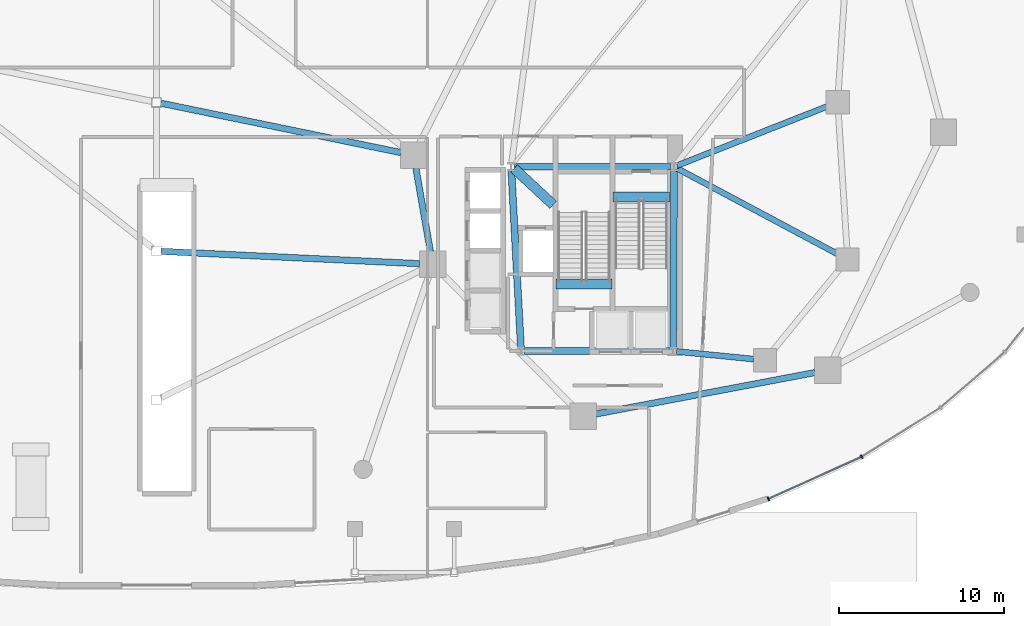
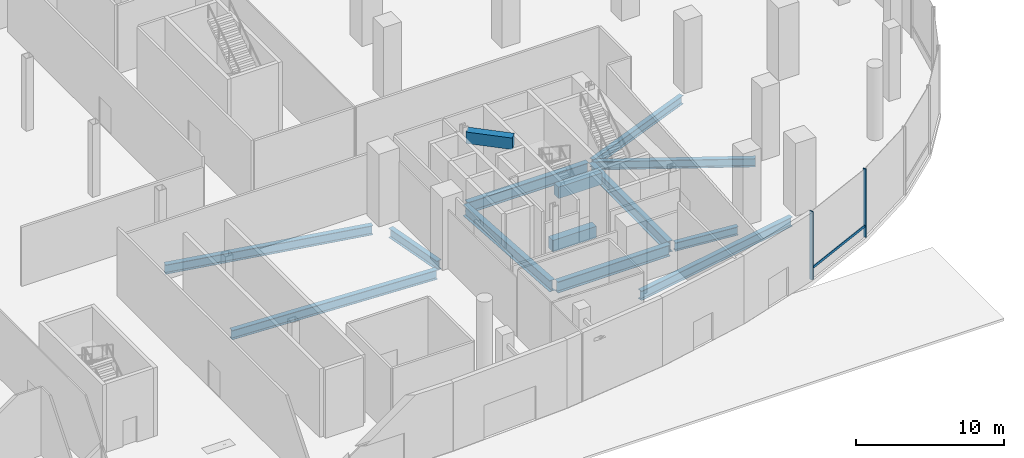
# One storey, part 7 of 20: 14 beams, 3 members, 1 element without a shape of its own.
"""IFC4 building model written with IfcOpenShell, lengths in metres."""

from ifc_helpers import new_model, si_unit, direction, frame, origin, origin_2d, place, context, subcontext, project, spatial, rectangle, i_section, extrude, material, material_profile, profile_set, type_object, element, aggregate, save


model = new_model("IFC4")

# Units and contexts
model_context = context("Model", 3, precision=1e-05, world=origin(), true_north=direction((0.0, 1.0)))
body_context = subcontext(model_context, "Body", "Model", "MODEL_VIEW")
ifc_project = project(units=[si_unit("LENGTHUNIT", "METRE"), si_unit("AREAUNIT", "SQUARE_METRE"), si_unit("VOLUMEUNIT", "CUBIC_METRE"), si_unit("PLANEANGLEUNIT", "RADIAN"), si_unit("MASSUNIT", "GRAM", prefix="KILO"), si_unit("THERMODYNAMICTEMPERATUREUNIT", "KELVIN"), si_unit("POWERUNIT", "WATT")], contexts=[model_context])

# Site, building, storey
site_placement = place(None, origin())
site = spatial("IfcSite", under=ifc_project, at=site_placement, CompositionType="ELEMENT")
building_placement = place(site_placement, origin())
building = spatial("IfcBuilding", under=site, at=building_placement, Name="Cundina Bronze Exchange", CompositionType="ELEMENT")
storey_placement = place(building_placement, origin())
storey = spatial("IfcBuildingStorey", under=building, at=storey_placement, Name="L00", CompositionType="ELEMENT", Elevation=0.0)

# Beams
ifc_material_1 = material(Name="Concrete C60/75", Category="concrete")
ifc_material_profile_1 = material_profile(ifc_material_1, rectangle(XDim=0.60009765625, YDim=0.949951171875, at=origin_2d()), Name="RC600X950", Category="concrete")
ifc_profile_set_1 = profile_set([ifc_material_profile_1], Name="Concrete C60/75")
beam_type_1 = type_object("IfcBeamType", Name="BM-COUP-RC950", PredefinedType="LINTEL", material=ifc_profile_set_1)
beam_1_placement = place(storey_placement, frame((27.6201171875, -5.719970703125, -0.47509765625), z_axis=(1.0, 0.0, 0.0), x_axis=(0.0, 1.0, 0.0)))
element("IfcBeam", 1, at=beam_1_placement, inside=storey, type_object=beam_type_1, Name="L00 Stair E1 Landing Header Beam", PredefinedType="LINTEL", context=body_context, shape_type="SweptSolid", body=[
    extrude(rectangle(XDim=0.60009765625, YDim=0.949951171875, at=origin_2d()), origin(), (0.0, 0.0, 1.0), 3.39990234375),
])
beam_2_placement = place(storey_placement, frame((24.159912109375, -10.97998046875, -0.47509765625), z_axis=(1.0, 0.0, 0.0), x_axis=(0.0, 1.0, 0.0)))
element("IfcBeam", 2, at=beam_2_placement, inside=storey, type_object=beam_type_1, Name="L00 Stair E2 Landing Header Beam", PredefinedType="LINTEL", context=body_context, shape_type="SweptSolid", body=[
    extrude(rectangle(XDim=0.60009765625, YDim=0.949951171875, at=origin_2d()), origin(), (0.0, 0.0, 1.0), 3.400146484375),
])
beam_3_placement = place(storey_placement, frame((21.6298828125, -4.0, 5.175048828125), z_axis=(0.731490439815, -0.681851696822, 0.0), x_axis=(0.681851696822, 0.731490439815, 0.0)))
element("IfcBeam", 3, at=beam_3_placement, inside=storey, type_object=beam_type_1, Name="L00 E Core Shear Coupling Lintel Beam", PredefinedType="LINTEL", context=body_context, shape_type="SweptSolid", body=[
    extrude(rectangle(XDim=0.60009765625, YDim=0.949951171875, at=origin_2d()), origin(), (0.0, 0.0, 1.0), 3.226318359375),
])
ifc_material_2 = material(Name="Steel ASTM A992 Grade 50", Category="steel")
ifc_material_profile_2 = material_profile(ifc_material_2, i_section(OverallWidth=0.35498046875, OverallDepth=0.695068359375, WebThickness=0.015380859375, FlangeThickness=0.02490234375, FilletRadius=0.01806640625, at=origin_2d()), Name="W27X146", Category="steel")
ifc_profile_set_2 = profile_set([ifc_material_profile_2], Name="Steel ASTM A992 Grade 50")
beam_type_2 = type_object("IfcBeamType", Name="BM-RING-W27", PredefinedType="USERDEFINED", material=ifc_profile_set_2)
beam_4_placement = place(storey_placement, frame((31.452880859375, -15.070068359375, -0.697509765625), z_axis=(0.995123484374, -0.098636964914, 0.0), x_axis=(0.098636964914, 0.995123484374, 0.0)))
element("IfcBeam", 4, at=beam_4_placement, inside=storey, type_object=beam_type_2, Name="L00 E Inner Structural Ring Girder 01", ObjectType="GIRDER", PredefinedType="USERDEFINED", context=body_context, shape_type="SweptSolid", body=[
    extrude(i_section(OverallWidth=0.35498046875, OverallDepth=0.695068359375, WebThickness=0.015380859375, FlangeThickness=0.02490234375, FilletRadius=0.01806640625, at=origin_2d()), origin(), (0.0, 0.0, 1.0), 4.685546875),
])
beam_5_placement = place(storey_placement, frame((31.48974609375, -3.8251953125, -0.697509765625), z_axis=(0.930410463214, 0.366519262715, 0.0), x_axis=(-0.366519262715, 0.930410463214, 0.0)))
element("IfcBeam", 5, at=beam_5_placement, inside=storey, type_object=beam_type_2, Name="L00 E Core-to-Waist Tie Beam 1", ObjectType="GIRDER", PredefinedType="USERDEFINED", context=body_context, shape_type="SweptSolid", body=[
    extrude(i_section(OverallWidth=0.35498046875, OverallDepth=0.695068359375, WebThickness=0.015380859375, FlangeThickness=0.02490234375, FilletRadius=0.01806640625, at=origin_2d()), origin(), (0.0, 0.0, 1.0), 9.74853515625),
])
beam_6_placement = place(storey_placement, frame((31.47998046875, -3.99609375, -0.697509765625), z_axis=(0.882354169055, -0.470585933014, 0.0), x_axis=(0.470585933014, 0.882354169055, 0.0)))
element("IfcBeam", 6, at=beam_6_placement, inside=storey, type_object=beam_type_2, Name="L00 E Core-to-Waist Tie Beam 2", ObjectType="GIRDER", PredefinedType="USERDEFINED", context=body_context, shape_type="SweptSolid", body=[
    extrude(i_section(OverallWidth=0.35498046875, OverallDepth=0.695068359375, WebThickness=0.015380859375, FlangeThickness=0.02490234375, FilletRadius=0.01806640625, at=origin_2d()), origin(), (0.0, 0.0, 1.0), 11.0078125),
])
ifc_material_profile_3 = material_profile(ifc_material_2, i_section(OverallWidth=0.381103515625, OverallDepth=0.77294921875, WebThickness=0.0166015625, FlangeThickness=0.027099609375, FilletRadius=0.01904296875, at=origin_2d()), Name="W30X173", Category="steel")
ifc_profile_set_3 = profile_set([ifc_material_profile_3], Name="Steel ASTM A992 Grade 50")
beam_type_3 = type_object("IfcBeamType", Name="BM-RING-W30", PredefinedType="USERDEFINED", material=ifc_profile_set_3)
beam_7_placement = place(storey_placement, frame((0.28759765625, -9.013916015625, -0.736572265625), z_axis=(0.998855248542, -0.047835054714, 0.0), x_axis=(0.047835054714, 0.998855248542, 0.0)))
element("IfcBeam", 7, at=beam_7_placement, inside=storey, type_object=beam_type_3, Name="L00 Concourse East Span Girder 02", ObjectType="GIRDER", PredefinedType="USERDEFINED", context=body_context, shape_type="SweptSolid", body=[
    extrude(i_section(OverallWidth=0.381103515625, OverallDepth=0.77294921875, WebThickness=0.0166015625, FlangeThickness=0.027099609375, FilletRadius=0.01904296875, at=origin_2d()), origin(), (0.0, 0.0, 1.0), 15.64306640625),
])
beam_8_placement = place(storey_placement, frame((0.281982421875, -0.05810546875, -0.736572265625), z_axis=(0.979475533682, -0.201563089177, 0.0), x_axis=(0.201563089177, 0.979475533682, 0.0)))
element("IfcBeam", 8, at=beam_8_placement, inside=storey, type_object=beam_type_3, Name="L00 Concourse East Span Girder 03", ObjectType="GIRDER", PredefinedType="USERDEFINED", context=body_context, shape_type="SweptSolid", body=[
    extrude(i_section(OverallWidth=0.381103515625, OverallDepth=0.77294921875, WebThickness=0.0166015625, FlangeThickness=0.027099609375, FilletRadius=0.01904296875, at=origin_2d()), origin(), (0.0, 0.0, 1.0), 14.800048828125),
])
beam_9_placement = place(storey_placement, frame((15.685302734375, -3.976318359375, -0.736572265625), z_axis=(0.171642817546, -0.985159247627, 0.0), x_axis=(0.985159247627, 0.171642817546, 0.0)))
element("IfcBeam", 9, at=beam_9_placement, inside=storey, type_object=beam_type_3, Name="L00 E Podium Ring Girder 00", ObjectType="GIRDER", PredefinedType="USERDEFINED", context=body_context, shape_type="SweptSolid", body=[
    extrude(i_section(OverallWidth=0.381103515625, OverallDepth=0.77294921875, WebThickness=0.0166015625, FlangeThickness=0.027099609375, FilletRadius=0.01904296875, at=origin_2d()), origin(), (0.0, 0.0, 1.0), 5.123291015625),
])
beam_10_placement = place(storey_placement, frame((26.57421875, -18.853515625, -0.736572265625), z_axis=(0.982569620145, 0.185894974562, 0.0), x_axis=(-0.185894974562, 0.982569620145, 0.0)))
element("IfcBeam", 10, at=beam_10_placement, inside=storey, type_object=beam_type_3, Name="L00 E Podium Ring Girder 04", ObjectType="GIRDER", PredefinedType="USERDEFINED", context=body_context, shape_type="SweptSolid", body=[
    extrude(i_section(OverallWidth=0.381103515625, OverallDepth=0.77294921875, WebThickness=0.0166015625, FlangeThickness=0.027099609375, FilletRadius=0.01904296875, at=origin_2d()), origin(), (0.0, 0.0, 1.0), 13.486572265625),
])
ifc_material_profile_4 = material_profile(ifc_material_2, i_section(OverallWidth=0.41796875, OverallDepth=0.927001953125, WebThickness=0.019287109375, FlangeThickness=0.031982421875, FilletRadius=0.02392578125, at=origin_2d()), Name="W36X231", Category="steel")
ifc_profile_set_4 = profile_set([ifc_material_profile_4], Name="Steel ASTM A992 Grade 50")
beam_type_4 = type_object("IfcBeamType", Name="BM-WRN-W36B", PredefinedType="USERDEFINED", material=ifc_profile_set_4)
beam_11_placement = place(storey_placement, frame((31.095947265625, -3.89990234375, -0.8134765625), z_axis=(-1.0, 0.0, 0.0), x_axis=(0.0, -1.0, 0.0)))
element("IfcBeam", 11, at=beam_11_placement, inside=storey, type_object=beam_type_4, Name="L00 E Core Perimeter Tie Girder 1", ObjectType="GIRDER", PredefinedType="USERDEFINED", context=body_context, shape_type="SweptSolid", body=[
    extrude(i_section(OverallWidth=0.41796875, OverallDepth=0.927001953125, WebThickness=0.019287109375, FlangeThickness=0.031982421875, FilletRadius=0.02392578125, at=origin_2d()), origin(), (0.0, 0.0, 1.0), 9.44189453125),
])
beam_12_placement = place(storey_placement, frame((21.4609375, -4.103759765625, -0.8134765625), z_axis=(0.053739193498, -0.998555005537, 0.0), x_axis=(0.998555005537, 0.053739193498, 0.0)))
element("IfcBeam", 12, at=beam_12_placement, inside=storey, type_object=beam_type_4, Name="L00 E Core Perimeter Tie Girder 2", ObjectType="GIRDER", PredefinedType="USERDEFINED", context=body_context, shape_type="SweptSolid", body=[
    extrude(i_section(OverallWidth=0.41796875, OverallDepth=0.927001953125, WebThickness=0.019287109375, FlangeThickness=0.031982421875, FilletRadius=0.02392578125, at=origin_2d()), origin(), (0.0, 0.0, 1.0), 10.758056640625),
])
beam_13_placement = place(storey_placement, frame((22.25390625, -15.050048828125, -0.8134765625), z_axis=(1.0, 0.0, 0.0), x_axis=(0.0, 1.0, 0.0)))
element("IfcBeam", 13, at=beam_13_placement, inside=storey, type_object=beam_type_4, Name="L00 E Core Perimeter Tie Girder 3", ObjectType="GIRDER", PredefinedType="USERDEFINED", context=body_context, shape_type="SweptSolid", body=[
    extrude(i_section(OverallWidth=0.41796875, OverallDepth=0.927001953125, WebThickness=0.019287109375, FlangeThickness=0.031982421875, FilletRadius=0.02392578125, at=origin_2d()), origin(), (0.0, 0.0, 1.0), 8.7919921875),
])
beam_14_placement = place(storey_placement, frame((31.2509765625, -14.845947265625, -0.8134765625), z_axis=(0.004477329608, 0.99998997671, 0.0), x_axis=(-0.99998997671, 0.004477329608, 0.0)))
element("IfcBeam", 14, at=beam_14_placement, inside=storey, type_object=beam_type_4, Name="L00 E Core Perimeter Tie Girder 4", ObjectType="GIRDER", PredefinedType="USERDEFINED", context=body_context, shape_type="SweptSolid", body=[
    extrude(i_section(OverallWidth=0.41796875, OverallDepth=0.927001953125, WebThickness=0.019287109375, FlangeThickness=0.031982421875, FilletRadius=0.02392578125, at=origin_2d()), origin(), (0.0, 0.0, 1.0), 10.741943359375),
])

# Curtain wall, members
ifc_material_3 = material(Name="Anodised Bronze Aluminium 6063-T6", Category="aluminium")
curtain_wall_type = type_object("IfcCurtainWallType", Name="CWS-POD-CONC", PredefinedType="NOTDEFINED", material=ifc_material_3)
curtain_wall_placement = place(storey_placement, origin())
curtain_wall = element("IfcCurtainWall", 15, at=curtain_wall_placement, inside=storey, type_object=curtain_wall_type, Name="L00 CW-01 Curtain Wall Run CWR-L00-06", PredefinedType="NOTDEFINED")
ifc_material_profile_5 = material_profile(ifc_material_3, rectangle(XDim=0.0849609375, YDim=0.25, at=origin_2d()), Name="AL85X250", Category="aluminium")
ifc_profile_set_5 = profile_set([ifc_material_profile_5], Name="Anodised Bronze Aluminium 6063-T6")
member_type_1 = type_object("IfcMemberType", Name="CWM-MUL-250", PredefinedType="MULLION", material=ifc_profile_set_5)
member_1_placement = place(storey_placement, frame((37.013671875, -23.990478515625, 0.0), z_axis=(0.0, 0.0, 1.0), x_axis=(0.911618620107, 0.411037092578, 0.0)))
member_1 = element("IfcMember", 16, at=member_1_placement, type_object=member_type_1, Name="CW-01 Mullion 1", PredefinedType="MULLION", context=body_context, shape_type="SweptSolid", body=[
    extrude(rectangle(XDim=0.0849609375, YDim=0.25, at=origin_2d()), origin(), (0.0, 0.0, 1.0), 5.64990234375),
])
member_2_placement = place(storey_placement, frame((42.654052734375, -21.4404296875, 0.0), z_axis=(0.0, 0.0, 1.0), x_axis=(0.849340400263, 0.527845511945, 0.0)))
member_2 = element("IfcMember", 17, at=member_2_placement, type_object=member_type_1, Name="CW-01 Mullion 2", PredefinedType="MULLION", context=body_context, shape_type="SweptSolid", body=[
    extrude(rectangle(XDim=0.0849609375, YDim=0.25, at=origin_2d()), origin(), (0.0, 0.0, 1.0), 5.64990234375),
])
ifc_material_profile_6 = material_profile(ifc_material_3, rectangle(XDim=0.080078125, YDim=0.2099609375, at=origin_2d()), Name="AL80X210", Category="aluminium")
ifc_profile_set_6 = profile_set([ifc_material_profile_6], Name="Anodised Bronze Aluminium 6063-T6")
member_type_2 = type_object("IfcMemberType", Name="CWM-TRN-210", PredefinedType="USERDEFINED", material=ifc_profile_set_6)
member_3_placement = place(storey_placement, frame((37.056396484375, -23.97119140625, 0.919921875), z_axis=(0.911641535198, 0.410986266561, 0.0), x_axis=(-0.410986266561, 0.911641535198, 0.0)))
member_3 = element("IfcMember", 18, at=member_3_placement, type_object=member_type_2, Name="CW-01 Spandrel Transom 1", ObjectType="TRANSOM", PredefinedType="USERDEFINED", context=body_context, shape_type="SweptSolid", body=[
    extrude(rectangle(XDim=0.080078125, YDim=0.2099609375, at=origin_2d()), origin(), (0.0, 0.0, 1.0), 6.090576171875),
])
aggregate(curtain_wall, [member_1, member_3, member_2])

save(model, "model.ifc")
